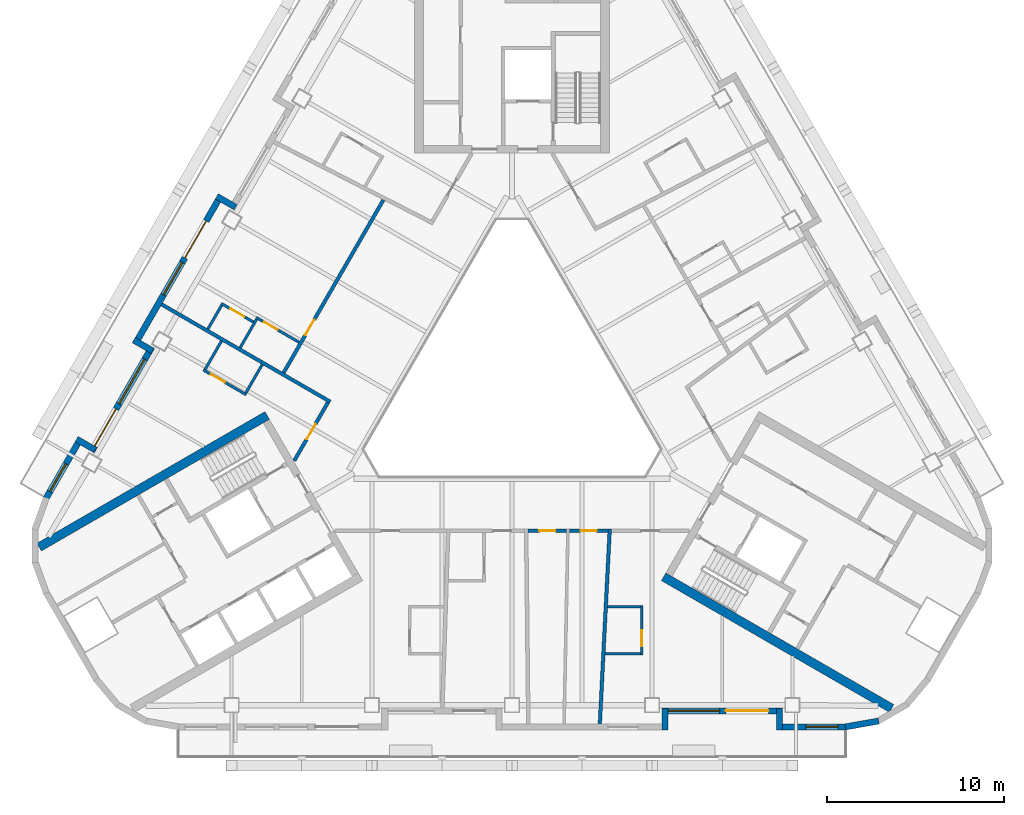
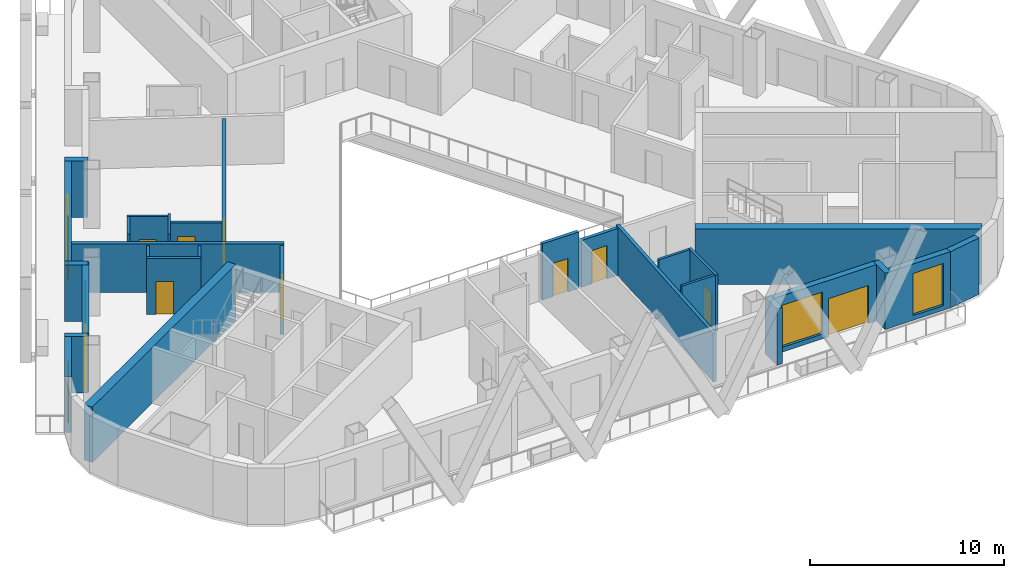
# One storey, part 4 of 14: 29 walls, 11 doors, 5 windows, 16 openings.
"""IFC4 building model written with IfcOpenShell, lengths in metres."""

from ifc_helpers import new_model, si_unit, direction, frame, frame_2d, origin, place, context, subcontext, project, spatial, rectangle, extrude, material, layer, layer_set, type_object, element, fill, save


model = new_model("IFC4")

# Units and contexts
model_context = context("Model", 3, precision=1e-05, world=origin(), true_north=direction((0.0, 1.0)))
body_context = subcontext(model_context, "Body", "Model", "MODEL_VIEW")
ifc_project = project(units=[si_unit("LENGTHUNIT", "METRE"), si_unit("AREAUNIT", "SQUARE_METRE"), si_unit("VOLUMEUNIT", "CUBIC_METRE"), si_unit("PLANEANGLEUNIT", "RADIAN"), si_unit("MASSUNIT", "GRAM", prefix="KILO")], contexts=[model_context])

# Site, building, storey
site_placement = place(None, origin())
site = spatial("IfcSite", under=ifc_project, at=site_placement, CompositionType="ELEMENT")
building_placement = place(site_placement, origin())
building = spatial("IfcBuilding", under=site, at=building_placement, Name="Apuvela Tower Hotel", CompositionType="ELEMENT")
storey_placement = place(building_placement, frame((0.0, 0.0, 168.800048828125)))
storey = spatial("IfcBuildingStorey", under=building, at=storey_placement, Name="L40", CompositionType="ELEMENT", Elevation=168.800048828125)

# Walls
ifc_material_1 = material(Name="Concrete C50/60", Category="concrete")
ifc_layer_1 = layer(ifc_material_1, 0.5)
ifc_layer_set_1 = layer_set([ifc_layer_1], Name="COR-WALL-CORE-500")
wall_type_1 = type_object("IfcWallType", Name="COR-WALL-CORE-500", PredefinedType="SHEAR", material=ifc_layer_set_1)
for number, where, z_axis, x_axis, name in (
    (1, (-13.796630859375, -1.9033203125, 0.0), (0.0, 0.0, 1.0), (-0.866025009528, -0.500000682871, 0.0), "Core wall SW"),
    (2, (8.546630859375, -10.99658203125, 0.0), (0.0, 0.0, 1.0), (0.866025009528, -0.500000682871, 0.0), "Core wall SE"),
):
    element("IfcWall", number, at=place(storey_placement, frame(where, z_axis=z_axis, x_axis=x_axis)), inside=storey, type_object=wall_type_1, Name=name, PredefinedType="SHEAR", context=body_context, shape_type="SweptSolid", body=[
        extrude(rectangle(XDim=14.8369140625, YDim=0.5, at=frame_2d((7.41845703125, 0.0))), origin(), (0.0, 0.0, 1.0), 3.5),
    ])
ifc_material_2 = material(Name="Concrete C40/50, dark pigmented precast panel", Category="concrete")
ifc_layer_2 = layer(ifc_material_2, 0.35009765625)
ifc_layer_set_2 = layer_set([ifc_layer_2], Name="ENV-WALL-350")
wall_type_2 = type_object("IfcWallType", Name="ENV-WALL-350", PredefinedType="SOLIDWALL", material=ifc_layer_set_2)
wall_1_placement = place(storey_placement, frame((-15.580810546875, 9.8330078125, 0.0), z_axis=(0.0, 0.0, 1.0), x_axis=(-0.866055662726, 0.499947586314, 0.0)))
element("IfcWall", 3, at=wall_1_placement, inside=storey, type_object=wall_type_2, Name="External wall L40-04", PredefinedType="SOLIDWALL", context=body_context, shape_type="SweptSolid", body=[
    extrude(rectangle(XDim=1.220458984375, YDim=0.35009765625, at=frame_2d((0.6103515625, 0.0))), origin(), (0.0, 0.0, 1.0), 3.550048828125),
])

# Wall, openings, door, window
wall_2_placement = place(storey_placement, frame((-16.3984375, 10.507080078125, 0.0), z_axis=(0.0, 0.0, 1.0), x_axis=(-0.499999142773, -0.866025898704, 0.0)))
wall_2 = element("IfcWall", 4, at=wall_2_placement, inside=storey, type_object=wall_type_2, Name="External wall L40-05", PredefinedType="SOLIDWALL", context=body_context, shape_type="SweptSolid", body=[
    extrude(rectangle(XDim=9.7001953125, YDim=0.35009765625, at=frame_2d((4.85009765625, 0.0))), origin(), (0.0, 0.0, 1.0), 3.550048828125),
])
opening_1_placement = place(wall_2_placement, frame((1.67529296875, 0.0, 0.0)))
opening_1 = element("IfcOpeningElement", 5, at=opening_1_placement, cuts=wall_2, Name="Opening BD24", PredefinedType="OPENING", context=body_context, shape_type="SweptSolid", body=[
    extrude(rectangle(XDim=2.39990234375, YDim=2.39990234375, at=frame_2d((1.199951171875, 1.199951171875))), frame((0.0, 0.18505859375, 0.0), z_axis=(0.0, -1.0, 0.0), x_axis=(1.0, 0.0, 0.0)), (0.0, 0.0, 1.0), 0.3701171875),
])
opening_2_placement = place(wall_2_placement, frame((4.37548828125, 0.0, 0.300048828125)))
opening_2 = element("IfcOpeningElement", 6, at=opening_2_placement, cuts=wall_2, Name="Opening WN21", PredefinedType="OPENING", context=body_context, shape_type="SweptSolid", body=[
    extrude(rectangle(XDim=2.10009765625, YDim=2.64990234375, at=frame_2d((1.050048828125, 1.324951171875))), frame((0.0, 0.18505859375, 0.0), z_axis=(0.0, -1.0, 0.0), x_axis=(1.0, 0.0, 0.0)), (0.0, 0.0, 1.0), 0.3701171875),
])
ifc_material_3 = material(Name="Aluminium 6063-T6, dark bronze anodised frame with dark tinted laminated glass", Category="aluminium")
door_type_1 = type_object("IfcDoorType", Name="ENV-DOOR-BALCONY-2400x2400", OperationType="SLIDING_TO_LEFT", PredefinedType="DOOR", material=ifc_material_3)
door_1_placement = place(opening_1_placement, frame((2.39990234375, 0.0, 0.0), z_axis=(0.0, 0.0, 1.0), x_axis=(-1.0, 0.0, 0.0)))
door_1 = element("IfcDoor", 7, at=door_1_placement, inside=storey, type_object=door_type_1, Name="Balcony door BD24", OperationType="SLIDING_TO_LEFT", OverallHeight=2.39990234375, OverallWidth=2.39990234375, PredefinedType="DOOR", context=body_context, shape_type="SweptSolid", body=[
    extrude(rectangle(XDim=2.39990234375, YDim=2.39990234375, at=frame_2d((1.199951171875, 1.199951171875))), frame((0.0, 0.02490234375, 0.0), z_axis=(0.0, -1.0, 0.0), x_axis=(1.0, 0.0, 0.0)), (0.0, 0.0, 1.0), 0.050048828125),
])
fill(opening_1, door_1)
ifc_material_4 = material(Name="Glass, dark tinted laminated insulated glazing unit", Category="glass")
window_type_1 = type_object("IfcWindowType", Name="ENV-WIN-2100x2650", PartitioningType="SINGLE_PANEL", PredefinedType="WINDOW", material=ifc_material_4)
window_1_placement = place(opening_2_placement, origin())
window_1 = element("IfcWindow", 8, at=window_1_placement, inside=storey, type_object=window_type_1, Name="Window WN21", OverallHeight=2.64990234375, OverallWidth=2.10009765625, PartitioningType="SINGLE_PANEL", PredefinedType="WINDOW", context=body_context, shape_type="SweptSolid", body=[
    extrude(rectangle(XDim=2.10009765625, YDim=2.64990234375, at=frame_2d((1.050048828125, 1.324951171875))), frame((0.0, 0.030029296875, 0.0), z_axis=(0.0, -1.0, 0.0), x_axis=(1.0, 0.0, 0.0)), (0.0, 0.0, 1.0), 0.06005859375),
])
fill(opening_2, window_1)

# Wall
wall_3_placement = place(storey_placement, frame((-21.3125, 2.345703125, 0.0), z_axis=(0.0, 0.0, 1.0), x_axis=(0.866005645448, -0.500034220881, 0.0)))
element("IfcWall", 9, at=wall_3_placement, inside=storey, type_object=wall_type_2, Name="External wall L40-06", PredefinedType="SOLIDWALL", context=body_context, shape_type="SweptSolid", body=[
    extrude(rectangle(XDim=1.22021484375, YDim=0.35009765625, at=frame_2d((0.610107421875, 0.0))), origin(), (0.0, 0.0, 1.0), 3.550048828125),
])

# Wall, openings, door, window
wall_4_placement = place(storey_placement, frame((-20.30908203125, 1.93359375, 0.0), z_axis=(0.0, 0.0, 1.0), x_axis=(-0.499992114976, -0.866029956157, 0.0)))
wall_4 = element("IfcWall", 10, at=wall_4_placement, inside=storey, type_object=wall_type_2, Name="External wall L40-07", PredefinedType="SOLIDWALL", context=body_context, shape_type="SweptSolid", body=[
    extrude(rectangle(XDim=6.73974609375, YDim=0.35009765625, at=frame_2d((3.369873046875, 0.0))), origin(), (0.0, 0.0, 1.0), 3.550048828125),
])
opening_3_placement = place(wall_4_placement, frame((4.02001953125, 0.0, 0.0)))
opening_3 = element("IfcOpeningElement", 11, at=opening_3_placement, cuts=wall_4, Name="Opening BD24", PredefinedType="OPENING", context=body_context, shape_type="SweptSolid", body=[
    extrude(rectangle(XDim=2.39990234375, YDim=2.39990234375, at=frame_2d((1.199951171875, 1.199951171875))), frame((0.0, 0.18505859375, 0.0), z_axis=(0.0, -1.0, 0.0), x_axis=(1.0, 0.0, 0.0)), (0.0, 0.0, 1.0), 0.3701171875),
])
opening_4_placement = place(wall_4_placement, frame((0.77001953125, 0.0, 0.300048828125)))
opening_4 = element("IfcOpeningElement", 12, at=opening_4_placement, cuts=wall_4, Name="Opening WN29", PredefinedType="OPENING", context=body_context, shape_type="SweptSolid", body=[
    extrude(rectangle(XDim=2.89990234375, YDim=2.64990234375, at=frame_2d((1.449951171875, 1.324951171875))), frame((0.0, 0.18505859375, 0.0), z_axis=(0.0, -1.0, 0.0), x_axis=(1.0, 0.0, 0.0)), (0.0, 0.0, 1.0), 0.3701171875),
])
door_2_placement = place(opening_3_placement, frame((2.39990234375, 0.0, 0.0), z_axis=(0.0, 0.0, 1.0), x_axis=(-1.0, 0.0, 0.0)))
door_2 = element("IfcDoor", 13, at=door_2_placement, inside=storey, type_object=door_type_1, Name="Balcony door BD24", OperationType="SLIDING_TO_LEFT", OverallHeight=2.39990234375, OverallWidth=2.39990234375, PredefinedType="DOOR", context=body_context, shape_type="SweptSolid", body=[
    extrude(rectangle(XDim=2.39990234375, YDim=2.39990234375, at=frame_2d((1.199951171875, 1.199951171875))), frame((0.0, 0.02490234375, 0.0), z_axis=(0.0, -1.0, 0.0), x_axis=(1.0, 0.0, 0.0)), (0.0, 0.0, 1.0), 0.050048828125),
])
fill(opening_3, door_2)
window_type_2 = type_object("IfcWindowType", Name="ENV-WIN-2900x2650", PartitioningType="SINGLE_PANEL", PredefinedType="WINDOW", material=ifc_material_4)
window_2_placement = place(opening_4_placement, origin())
window_2 = element("IfcWindow", 14, at=window_2_placement, inside=storey, type_object=window_type_2, Name="Window WN29", OverallHeight=2.64990234375, OverallWidth=2.89990234375, PartitioningType="SINGLE_PANEL", PredefinedType="WINDOW", context=body_context, shape_type="SweptSolid", body=[
    extrude(rectangle(XDim=2.89990234375, YDim=2.64990234375, at=frame_2d((1.449951171875, 1.324951171875))), frame((0.0, 0.030029296875, 0.0), z_axis=(0.0, -1.0, 0.0), x_axis=(1.0, 0.0, 0.0)), (0.0, 0.0, 1.0), 0.06005859375),
])
fill(opening_4, window_2)

# Wall
wall_5_placement = place(storey_placement, frame((-23.48095703125, -3.85009765625, 0.0), z_axis=(0.0, 0.0, 1.0), x_axis=(-0.866092288191, 0.499884134912, 0.0)))
element("IfcWall", 15, at=wall_5_placement, inside=storey, type_object=wall_type_2, Name="External wall L40-08", PredefinedType="SOLIDWALL", context=body_context, shape_type="SweptSolid", body=[
    extrude(rectangle(XDim=1.219970703125, YDim=0.35009765625, at=frame_2d((0.60986328125, 0.0))), origin(), (0.0, 0.0, 1.0), 3.550048828125),
])

# Wall, opening, window
wall_6_placement = place(storey_placement, frame((-24.298583984375, -3.17626953125, 0.0), z_axis=(0.0, 0.0, 1.0), x_axis=(-0.500028278809, -0.866009076391, 0.0)))
wall_6 = element("IfcWall", 16, at=wall_6_placement, inside=storey, type_object=wall_type_2, Name="External wall L40-09", PredefinedType="SOLIDWALL", context=body_context, shape_type="SweptSolid", body=[
    extrude(rectangle(XDim=3.915771484375, YDim=0.35009765625, at=frame_2d((1.9580078125, 0.0))), origin(), (0.0, 0.0, 1.0), 3.550048828125),
])
opening_5_placement = place(wall_6_placement, frame((1.675048828125, 0.0, 0.300048828125)))
opening_5 = element("IfcOpeningElement", 17, at=opening_5_placement, cuts=wall_6, Name="Opening WN18", PredefinedType="OPENING", context=body_context, shape_type="SweptSolid", body=[
    extrude(rectangle(XDim=1.800048828125, YDim=2.64990234375, at=frame_2d((0.89990234375, 1.324951171875))), frame((0.0, 0.18505859375, 0.0), z_axis=(0.0, -1.0, 0.0), x_axis=(1.0, 0.0, 0.0)), (0.0, 0.0, 1.0), 0.3701171875),
])
window_type_3 = type_object("IfcWindowType", Name="ENV-WIN-1800x2650", PartitioningType="SINGLE_PANEL", PredefinedType="WINDOW", material=ifc_material_4)
window_3_placement = place(opening_5_placement, origin())
window_3 = element("IfcWindow", 18, at=window_3_placement, inside=storey, type_object=window_type_3, Name="Window WN18", OverallHeight=2.64990234375, OverallWidth=1.800048828125, PartitioningType="SINGLE_PANEL", PredefinedType="WINDOW", context=body_context, shape_type="SweptSolid", body=[
    extrude(rectangle(XDim=1.800048828125, YDim=2.64990234375, at=frame_2d((0.89990234375, 1.324951171875))), frame((0.0, 0.030029296875, 0.0), z_axis=(0.0, -1.0, 0.0), x_axis=(1.0, 0.0, 0.0)), (0.0, 0.0, 1.0), 0.06005859375),
])
fill(opening_5, window_3)

# Wall
wall_7_placement = place(storey_placement, frame((8.625, -19.6298828125, 0.0), z_axis=(0.0, 0.0, 1.0), x_axis=(0.0, 1.0, 0.0)))
element("IfcWall", 19, at=wall_7_placement, inside=storey, type_object=wall_type_2, Name="External wall L40-22", PredefinedType="SOLIDWALL", context=body_context, shape_type="SweptSolid", body=[
    extrude(rectangle(XDim=1.219970703125, YDim=0.35009765625, at=frame_2d((0.60986328125, 0.0))), origin(), (0.0, 0.0, 1.0), 3.550048828125),
])

# Wall, openings, door, window
wall_8_placement = place(storey_placement, frame((8.47998046875, -18.554931640625, 0.0), z_axis=(0.0, 0.0, 1.0), x_axis=(1.0, 0.0, 0.0)))
wall_8 = element("IfcWall", 20, at=wall_8_placement, inside=storey, type_object=wall_type_2, Name="External wall L40-23", PredefinedType="SOLIDWALL", context=body_context, shape_type="SweptSolid", body=[
    extrude(rectangle(XDim=6.739990234375, YDim=0.35009765625, at=frame_2d((3.3701171875, 0.0))), origin(), (0.0, 0.0, 1.0), 3.550048828125),
])
opening_6_placement = place(wall_8_placement, frame((3.570068359375, 0.0, 0.0)))
opening_6 = element("IfcOpeningElement", 21, at=opening_6_placement, cuts=wall_8, Name="Opening BD24", PredefinedType="OPENING", context=body_context, shape_type="SweptSolid", body=[
    extrude(rectangle(XDim=2.39990234375, YDim=2.39990234375, at=frame_2d((1.199951171875, 1.199951171875))), frame((0.0, 0.18505859375, 0.0), z_axis=(0.0, -1.0, 0.0), x_axis=(1.0, 0.0, 0.0)), (0.0, 0.0, 1.0), 0.3701171875),
])
opening_7_placement = place(wall_8_placement, frame((0.3203125, 0.0, 0.300048828125)))
opening_7 = element("IfcOpeningElement", 22, at=opening_7_placement, cuts=wall_8, Name="Opening WN29", PredefinedType="OPENING", context=body_context, shape_type="SweptSolid", body=[
    extrude(rectangle(XDim=2.89990234375, YDim=2.64990234375, at=frame_2d((1.449951171875, 1.324951171875))), frame((0.0, 0.18505859375, 0.0), z_axis=(0.0, -1.0, 0.0), x_axis=(1.0, 0.0, 0.0)), (0.0, 0.0, 1.0), 0.3701171875),
])
door_3_placement = place(opening_6_placement, frame((2.39990234375, 0.0, 0.0), z_axis=(0.0, 0.0, 1.0), x_axis=(-1.0, 0.0, 0.0)))
door_3 = element("IfcDoor", 23, at=door_3_placement, inside=storey, type_object=door_type_1, Name="Balcony door BD24", OperationType="SLIDING_TO_LEFT", OverallHeight=2.39990234375, OverallWidth=2.39990234375, PredefinedType="DOOR", context=body_context, shape_type="SweptSolid", body=[
    extrude(rectangle(XDim=2.39990234375, YDim=2.39990234375, at=frame_2d((1.199951171875, 1.199951171875))), frame((0.0, 0.02490234375, 0.0), z_axis=(0.0, -1.0, 0.0), x_axis=(1.0, 0.0, 0.0)), (0.0, 0.0, 1.0), 0.050048828125),
])
fill(opening_6, door_3)
window_4_placement = place(opening_7_placement, origin())
window_4 = element("IfcWindow", 24, at=window_4_placement, inside=storey, type_object=window_type_2, Name="Window WN29", OverallHeight=2.64990234375, OverallWidth=2.89990234375, PartitioningType="SINGLE_PANEL", PredefinedType="WINDOW", context=body_context, shape_type="SweptSolid", body=[
    extrude(rectangle(XDim=2.89990234375, YDim=2.64990234375, at=frame_2d((1.449951171875, 1.324951171875))), frame((0.0, 0.030029296875, 0.0), z_axis=(0.0, -1.0, 0.0), x_axis=(1.0, 0.0, 0.0)), (0.0, 0.0, 1.0), 0.06005859375),
])
fill(opening_7, window_4)

# Wall
wall_9_placement = place(storey_placement, frame((15.074951171875, -18.409912109375, 0.0), z_axis=(0.0, 0.0, 1.0), x_axis=(0.0, -1.0, 0.0)))
element("IfcWall", 25, at=wall_9_placement, inside=storey, type_object=wall_type_2, Name="External wall L40-24", PredefinedType="SOLIDWALL", context=body_context, shape_type="SweptSolid", body=[
    extrude(rectangle(XDim=1.219970703125, YDim=0.35009765625, at=frame_2d((0.60986328125, 0.0))), origin(), (0.0, 0.0, 1.0), 3.550048828125),
])

# Wall, opening, window
wall_10_placement = place(storey_placement, frame((14.89990234375, -19.455078125, 0.0), z_axis=(0.0, 0.0, 1.0), x_axis=(1.0, 0.0, 0.0)))
wall_10 = element("IfcWall", 26, at=wall_10_placement, inside=storey, type_object=wall_type_2, Name="External wall L40-25", PredefinedType="SOLIDWALL", context=body_context, shape_type="SweptSolid", body=[
    extrude(rectangle(XDim=3.916015625, YDim=0.35009765625, at=frame_2d((1.9580078125, 0.0))), origin(), (0.0, 0.0, 1.0), 3.550048828125),
])
opening_8_placement = place(wall_10_placement, frame((1.674560546875, 0.0, 0.300048828125)))
opening_8 = element("IfcOpeningElement", 27, at=opening_8_placement, cuts=wall_10, Name="Opening WN18", PredefinedType="OPENING", context=body_context, shape_type="SweptSolid", body=[
    extrude(rectangle(XDim=1.800048828125, YDim=2.64990234375, at=frame_2d((0.89990234375, 1.324951171875))), frame((0.0, 0.18505859375, 0.0), z_axis=(0.0, -1.0, 0.0), x_axis=(1.0, 0.0, 0.0)), (0.0, 0.0, 1.0), 0.3701171875),
])
window_5_placement = place(opening_8_placement, origin())
window_5 = element("IfcWindow", 28, at=window_5_placement, inside=storey, type_object=window_type_3, Name="Window WN18", OverallHeight=2.64990234375, OverallWidth=1.800048828125, PartitioningType="SINGLE_PANEL", PredefinedType="WINDOW", context=body_context, shape_type="SweptSolid", body=[
    extrude(rectangle(XDim=1.800048828125, YDim=2.64990234375, at=frame_2d((0.89990234375, 1.324951171875))), frame((0.0, 0.030029296875, 0.0), z_axis=(0.0, -1.0, 0.0), x_axis=(1.0, 0.0, 0.0)), (0.0, 0.0, 1.0), 0.06005859375),
])
fill(opening_8, window_5)

# Walls
wall_11_placement = place(storey_placement, frame((18.785400390625, -19.457763671875, 0.0), z_axis=(0.0, 0.0, 1.0), x_axis=(0.984798995425, 0.173697837091, 0.0)))
element("IfcWall", 29, at=wall_11_placement, inside=storey, type_object=wall_type_2, Name="External wall L40-26", PredefinedType="SOLIDWALL", context=body_context, shape_type="SweptSolid", body=[
    extrude(rectangle(XDim=1.91015625, YDim=0.35009765625, at=frame_2d((0.955078125, 0.0))), origin(), (0.0, 0.0, 1.0), 3.550048828125),
])
ifc_material_5 = material(Name="Gypsum board partition on twin steel stud", Category="steel")
ifc_layer_3 = layer(ifc_material_5, 0.199951171875)
ifc_layer_set_3 = layer_set([ifc_layer_3], Name="GST-PW1")
wall_type_3 = type_object("IfcWallType", Name="GST-PW1", PredefinedType="PARTITIONING", material=ifc_layer_set_3)
wall_12_placement = place(storey_placement, frame((4.949951171875, -19.280029296875, 0.0), z_axis=(0.0, 0.0, 1.0), x_axis=(0.050963172582, 0.998700533213, 0.0)))
element("IfcWall", 30, at=wall_12_placement, inside=storey, type_object=wall_type_3, Name="L40 partition 03", PredefinedType="PARTITIONING", context=body_context, shape_type="SweptSolid", body=[
    extrude(rectangle(XDim=10.994384765625, YDim=0.199951171875, at=frame_2d((5.4970703125, 0.0))), origin(), (0.0, 0.0, 1.0), 3.06005859375),
])
wall_13_placement = place(storey_placement, frame((-19.7470703125, 4.357177734375, 0.0), z_axis=(0.0, 0.0, 1.0), x_axis=(0.866027479907, -0.499996404033, 0.0)))
element("IfcWall", 31, at=wall_13_placement, inside=storey, type_object=wall_type_3, Name="L40 partition 08", PredefinedType="PARTITIONING", context=body_context, shape_type="SweptSolid", body=[
    extrude(rectangle(XDim=10.97998046875, YDim=0.199951171875, at=frame_2d((5.489990234375, 0.0))), origin(), (0.0, 0.0, 1.0), 3.06005859375),
])

# Wall, opening, door
ifc_material_6 = material(Name="Gypsum board corridor wall on twin steel stud, acoustic", Category="steel")
ifc_layer_4 = layer(ifc_material_6, 0.199951171875)
ifc_layer_set_4 = layer_set([ifc_layer_4], Name="GST-PW2")
wall_type_4 = type_object("IfcWallType", Name="GST-PW2", PredefinedType="PARTITIONING", material=ifc_layer_set_4)
wall_14_placement = place(storey_placement, frame((3.076904296875, -8.39990234375, 0.0), z_axis=(0.0, 0.0, 1.0), x_axis=(-1.0, 0.0, 0.0)))
wall_14 = element("IfcWall", 32, at=wall_14_placement, inside=storey, type_object=wall_type_4, Name="L40 partition 17", PredefinedType="PARTITIONING", context=body_context, shape_type="SweptSolid", body=[
    extrude(rectangle(XDim=2.177978515625, YDim=0.199951171875, at=frame_2d((1.0888671875, 0.0))), origin(), (0.0, 0.0, 1.0), 3.550048828125),
])
opening_9_placement = place(wall_14_placement, frame((0.63916015625, 0.0, 0.0)))
opening_9 = element("IfcOpeningElement", 33, at=opening_9_placement, cuts=wall_14, Name="Opening GD15-05", PredefinedType="OPENING", context=body_context, shape_type="SweptSolid", body=[
    extrude(rectangle(XDim=0.89990234375, YDim=2.10009765625, at=frame_2d((0.449951171875, 1.050048828125))), frame((0.0, 0.10986328125, 0.0), z_axis=(0.0, -1.0, 0.0), x_axis=(1.0, 0.0, 0.0)), (0.0, 0.0, 1.0), 0.219970703125),
])
ifc_material_7 = material(Name="Timber door leaf in steel frame", Category="steel")
door_type_2 = type_object("IfcDoorType", Name="GST-D2", OperationType="NOTDEFINED", PredefinedType="DOOR", material=ifc_material_7)
door_4_placement = place(opening_9_placement, origin())
door_4 = element("IfcDoor", 34, at=door_4_placement, inside=storey, type_object=door_type_2, Name="Door L40-05", OperationType="SINGLE_SWING_LEFT", OverallHeight=2.10009765625, OverallWidth=0.89990234375, PredefinedType="DOOR", context=body_context, shape_type="SweptSolid", body=[
    extrude(rectangle(XDim=0.89990234375, YDim=2.10009765625, at=frame_2d((0.449951171875, 1.050048828125))), frame((0.0, 0.02490234375, 0.0), z_axis=(0.0, -1.0, 0.0), x_axis=(1.0, 0.0, 0.0)), (0.0, 0.0, 1.0), 0.050048828125),
])
fill(opening_9, door_4)

wall_15_placement = place(storey_placement, frame((5.405029296875, -8.39990234375, 0.0), z_axis=(0.0, 0.0, 1.0), x_axis=(-1.0, 0.0, 0.0)))
wall_15 = element("IfcWall", 35, at=wall_15_placement, inside=storey, type_object=wall_type_4, Name="L40 partition 18", PredefinedType="PARTITIONING", context=body_context, shape_type="SweptSolid", body=[
    extrude(rectangle(XDim=2.177978515625, YDim=0.199951171875, at=frame_2d((1.0888671875, 0.0))), origin(), (0.0, 0.0, 1.0), 2.949951171875),
])
opening_10_placement = place(wall_15_placement, frame((0.638916015625, 0.0, 0.0)))
opening_10 = element("IfcOpeningElement", 36, at=opening_10_placement, cuts=wall_15, Name="Opening GD15-06", PredefinedType="OPENING", context=body_context, shape_type="SweptSolid", body=[
    extrude(rectangle(XDim=0.89990234375, YDim=2.10009765625, at=frame_2d((0.449951171875, 1.050048828125))), frame((0.0, 0.10986328125, 0.0), z_axis=(0.0, -1.0, 0.0), x_axis=(1.0, 0.0, 0.0)), (0.0, 0.0, 1.0), 0.219970703125),
])
door_5_placement = place(opening_10_placement, origin())
door_5 = element("IfcDoor", 37, at=door_5_placement, inside=storey, type_object=door_type_2, Name="Door L40-06", OperationType="SINGLE_SWING_RIGHT", OverallHeight=2.10009765625, OverallWidth=0.89990234375, PredefinedType="DOOR", context=body_context, shape_type="SweptSolid", body=[
    extrude(rectangle(XDim=0.89990234375, YDim=2.10009765625, at=frame_2d((0.449951171875, 1.050048828125))), frame((0.0, 0.02490234375, 0.0), z_axis=(0.0, -1.0, 0.0), x_axis=(1.0, 0.0, 0.0)), (0.0, 0.0, 1.0), 0.050048828125),
])
fill(opening_10, door_5)

wall_16_placement = place(storey_placement, frame((-12.872802734375, 0.50390625, 0.0), z_axis=(0.0, 0.0, 1.0), x_axis=(0.500019832059, 0.866013953437, 0.0)))
wall_16 = element("IfcWall", 38, at=wall_16_placement, inside=storey, type_object=wall_type_4, Name="L40 partition 41", PredefinedType="PARTITIONING", context=body_context, shape_type="SweptSolid", body=[
    extrude(rectangle(XDim=11.251953125, YDim=0.199951171875, at=frame_2d((5.6259765625, 0.0))), origin(), (0.0, 0.0, 1.0), 2.949951171875),
])
opening_11_placement = place(wall_16_placement, frame((2.449951171875, 0.0, 0.0)))
opening_11 = element("IfcOpeningElement", 39, at=opening_11_placement, cuts=wall_16, Name="Opening GD15-21", PredefinedType="OPENING", context=body_context, shape_type="SweptSolid", body=[
    extrude(rectangle(XDim=1.0, YDim=2.10009765625, at=frame_2d((0.5, 1.050048828125))), frame((0.0, 0.10986328125, 0.0), z_axis=(0.0, -1.0, 0.0), x_axis=(1.0, 0.0, 0.0)), (0.0, 0.0, 1.0), 0.219970703125),
])
door_type_3 = type_object("IfcDoorType", Name="GST-D1", OperationType="NOTDEFINED", PredefinedType="DOOR", material=ifc_material_7)
door_6_placement = place(opening_11_placement, origin())
door_6 = element("IfcDoor", 40, at=door_6_placement, inside=storey, type_object=door_type_3, Name="Door L40-21", OperationType="SINGLE_SWING_RIGHT", OverallHeight=2.10009765625, OverallWidth=1.0, PredefinedType="DOOR", context=body_context, shape_type="SweptSolid", body=[
    extrude(rectangle(XDim=1.0, YDim=2.10009765625, at=frame_2d((0.5, 1.050048828125))), frame((0.0, 0.02490234375, 0.0), z_axis=(0.0, -1.0, 0.0), x_axis=(1.0, 0.0, 0.0)), (0.0, 0.0, 1.0), 0.050048828125),
])
fill(opening_11, door_6)

wall_17_placement = place(storey_placement, frame((-12.268798828125, -4.449951171875, 0.0), z_axis=(0.0, 0.0, 1.0), x_axis=(0.500055316652, 0.865993464345, 0.0)))
wall_17 = element("IfcWall", 41, at=wall_17_placement, inside=storey, type_object=wall_type_4, Name="L40 partition 46", PredefinedType="PARTITIONING", context=body_context, shape_type="SweptSolid", body=[
    extrude(rectangle(XDim=3.7880859375, YDim=0.199951171875, at=frame_2d((1.89404296875, 0.0))), origin(), (0.0, 0.0, 1.0), 2.949951171875),
])
opening_12_placement = place(wall_17_placement, frame((1.39404296875, 0.0, 0.0)))
opening_12 = element("IfcOpeningElement", 42, at=opening_12_placement, cuts=wall_17, Name="Opening GD15-23", PredefinedType="OPENING", context=body_context, shape_type="SweptSolid", body=[
    extrude(rectangle(XDim=1.0, YDim=2.10009765625, at=frame_2d((0.5, 1.050048828125))), frame((0.0, 0.10986328125, 0.0), z_axis=(0.0, -1.0, 0.0), x_axis=(1.0, 0.0, 0.0)), (0.0, 0.0, 1.0), 0.219970703125),
])
door_7_placement = place(opening_12_placement, origin())
door_7 = element("IfcDoor", 43, at=door_7_placement, inside=storey, type_object=door_type_3, Name="Door L40-23", OperationType="SINGLE_SWING_RIGHT", OverallHeight=2.10009765625, OverallWidth=1.0, PredefinedType="DOOR", context=body_context, shape_type="SweptSolid", body=[
    extrude(rectangle(XDim=1.0, YDim=2.10009765625, at=frame_2d((0.5, 1.050048828125))), frame((0.0, 0.02490234375, 0.0), z_axis=(0.0, -1.0, 0.0), x_axis=(1.0, 0.0, 0.0)), (0.0, 0.0, 1.0), 0.050048828125),
])
fill(opening_12, door_7)

ifc_material_8 = material(Name="Moisture-resistant gypsum board wet wall on steel stud", Category="steel")
ifc_layer_5 = layer(ifc_material_8, 0.14990234375)
ifc_layer_set_5 = layer_set([ifc_layer_5], Name="GST-PW3")
wall_type_5 = type_object("IfcWallType", Name="GST-PW3", PredefinedType="PARTITIONING", material=ifc_layer_set_5)
wall_18_placement = place(storey_placement, frame((7.31591796875, -15.39990234375, 0.0), z_axis=(0.0, 0.0, 1.0), x_axis=(0.0, 1.0, 0.0)))
wall_18 = element("IfcWall", 44, at=wall_18_placement, inside=storey, type_object=wall_type_5, Name="L40 partition 20", PredefinedType="PARTITIONING", context=body_context, shape_type="SweptSolid", body=[
    extrude(rectangle(XDim=2.7998046875, YDim=0.14990234375, at=frame_2d((1.39990234375, 0.0))), origin(), (0.0, 0.0, 1.0), 3.550048828125),
])
opening_13_placement = place(wall_18_placement, frame((0.5, 0.0, 0.0)))
opening_13 = element("IfcOpeningElement", 45, at=opening_13_placement, cuts=wall_18, Name="Opening GD15-07", PredefinedType="OPENING", context=body_context, shape_type="SweptSolid", body=[
    extrude(rectangle(XDim=0.89990234375, YDim=2.10009765625, at=frame_2d((0.449951171875, 1.050048828125))), frame((0.0, 0.0849609375, 0.0), z_axis=(0.0, -1.0, 0.0), x_axis=(1.0, 0.0, 0.0)), (0.0, 0.0, 1.0), 0.169921875),
])
door_8_placement = place(opening_13_placement, origin())
door_8 = element("IfcDoor", 46, at=door_8_placement, inside=storey, type_object=door_type_2, Name="Door L40-07", OperationType="SINGLE_SWING_LEFT", OverallHeight=2.10009765625, OverallWidth=0.89990234375, PredefinedType="DOOR", context=body_context, shape_type="SweptSolid", body=[
    extrude(rectangle(XDim=0.89990234375, YDim=2.10009765625, at=frame_2d((0.449951171875, 1.050048828125))), frame((0.0, 0.02490234375, 0.0), z_axis=(0.0, -1.0, 0.0), x_axis=(1.0, 0.0, 0.0)), (0.0, 0.0, 1.0), 0.050048828125),
])
fill(opening_13, door_8)

# Walls
wall_19_placement = place(storey_placement, frame((5.251953125, -15.324951171875, 0.0), z_axis=(0.0, 0.0, 1.0), x_axis=(1.0, 0.0, 0.0)))
element("IfcWall", 47, at=wall_19_placement, inside=storey, type_object=wall_type_5, Name="L40 partition 21", PredefinedType="PARTITIONING", context=body_context, shape_type="SweptSolid", body=[
    extrude(rectangle(XDim=1.989013671875, YDim=0.14990234375, at=frame_2d((0.99462890625, 0.0))), origin(), (0.0, 0.0, 1.0), 3.550048828125),
])
wall_20_placement = place(storey_placement, frame((5.38720703125, -12.675048828125, 0.0), z_axis=(0.0, 0.0, 1.0), x_axis=(1.0, 0.0, 0.0)))
element("IfcWall", 48, at=wall_20_placement, inside=storey, type_object=wall_type_5, Name="L40 partition 22", PredefinedType="PARTITIONING", context=body_context, shape_type="SweptSolid", body=[
    extrude(rectangle(XDim=1.853759765625, YDim=0.14990234375, at=frame_2d((0.9267578125, 0.0))), origin(), (0.0, 0.0, 1.0), 3.550048828125),
])

# Wall, opening, door
wall_21_placement = place(storey_placement, frame((-11.996826171875, 2.220947265625, 0.0), z_axis=(0.0, 0.0, 1.0), x_axis=(-0.866034573852, 0.49998411664, 0.0)))
wall_21 = element("IfcWall", 49, at=wall_21_placement, inside=storey, type_object=wall_type_5, Name="L40 partition 42", PredefinedType="PARTITIONING", context=body_context, shape_type="SweptSolid", body=[
    extrude(rectangle(XDim=2.7998046875, YDim=0.14990234375, at=frame_2d((1.39990234375, 0.0))), origin(), (0.0, 0.0, 1.0), 2.949951171875),
])
opening_14_placement = place(wall_21_placement, frame((1.39990234375, 0.0, 0.0)))
opening_14 = element("IfcOpeningElement", 50, at=opening_14_placement, cuts=wall_21, Name="Opening GD15-19", PredefinedType="OPENING", context=body_context, shape_type="SweptSolid", body=[
    extrude(rectangle(XDim=0.89990234375, YDim=2.10009765625, at=frame_2d((0.449951171875, 1.050048828125))), frame((0.0, 0.0849609375, 0.0), z_axis=(0.0, -1.0, 0.0), x_axis=(1.0, 0.0, 0.0)), (0.0, 0.0, 1.0), 0.169921875),
])
door_9_placement = place(opening_14_placement, origin())
door_9 = element("IfcDoor", 51, at=door_9_placement, inside=storey, type_object=door_type_2, Name="Door L40-19", OperationType="SINGLE_SWING_RIGHT", OverallHeight=2.10009765625, OverallWidth=0.89990234375, PredefinedType="DOOR", context=body_context, shape_type="SweptSolid", body=[
    extrude(rectangle(XDim=0.89990234375, YDim=2.10009765625, at=frame_2d((0.449951171875, 1.050048828125))), frame((0.0, 0.02490234375, 0.0), z_axis=(0.0, -1.0, 0.0), x_axis=(1.0, 0.0, 0.0)), (0.0, 0.0, 1.0), 0.050048828125),
])
fill(opening_14, door_9)

# Wall
wall_22_placement = place(storey_placement, frame((-14.394287109375, 3.5185546875, 0.0), z_axis=(0.0, 0.0, 1.0), x_axis=(-0.499886193382, -0.866091100096, 0.0)))
element("IfcWall", 52, at=wall_22_placement, inside=storey, type_object=wall_type_5, Name="L40 partition 43", PredefinedType="PARTITIONING", context=body_context, shape_type="SweptSolid", body=[
    extrude(rectangle(XDim=1.85009765625, YDim=0.14990234375, at=frame_2d((0.925048828125, 0.0))), origin(), (0.0, 0.0, 1.0), 3.550048828125),
])

# Wall, opening, door
wall_23_placement = place(storey_placement, frame((-14.57177734375, 3.361083984375, 0.0), z_axis=(0.0, 0.0, 1.0), x_axis=(-0.866009402589, 0.500027713859, 0.0)))
wall_23 = element("IfcWall", 53, at=wall_23_placement, inside=storey, type_object=wall_type_5, Name="L40 partition 44", PredefinedType="PARTITIONING", context=body_context, shape_type="SweptSolid", body=[
    extrude(rectangle(XDim=2.10009765625, YDim=0.14990234375, at=frame_2d((1.050048828125, 0.0))), origin(), (0.0, 0.0, 1.0), 3.550048828125),
])
opening_15_placement = place(wall_23_placement, frame((0.60009765625, 0.0, 0.0)))
opening_15 = element("IfcOpeningElement", 54, at=opening_15_placement, cuts=wall_23, Name="Opening GD15-20", PredefinedType="OPENING", context=body_context, shape_type="SweptSolid", body=[
    extrude(rectangle(XDim=0.89990234375, YDim=2.10009765625, at=frame_2d((0.449951171875, 1.050048828125))), frame((0.0, 0.0849609375, 0.0), z_axis=(0.0, -1.0, 0.0), x_axis=(1.0, 0.0, 0.0)), (0.0, 0.0, 1.0), 0.169921875),
])
door_10_placement = place(opening_15_placement, origin())
door_10 = element("IfcDoor", 55, at=door_10_placement, inside=storey, type_object=door_type_2, Name="Door L40-20", OperationType="SINGLE_SWING_RIGHT", OverallHeight=2.10009765625, OverallWidth=0.89990234375, PredefinedType="DOOR", context=body_context, shape_type="SweptSolid", body=[
    extrude(rectangle(XDim=0.89990234375, YDim=2.10009765625, at=frame_2d((0.449951171875, 1.050048828125))), frame((0.0, 0.02490234375, 0.0), z_axis=(0.0, -1.0, 0.0), x_axis=(1.0, 0.0, 0.0)), (0.0, 0.0, 1.0), 0.050048828125),
])
fill(opening_15, door_10)

# Wall
wall_24_placement = place(storey_placement, frame((-16.36279296875, 4.30859375, 0.0), z_axis=(0.0, 0.0, 1.0), x_axis=(-0.500086022567, -0.865975732936, 0.0)))
element("IfcWall", 56, at=wall_24_placement, inside=storey, type_object=wall_type_5, Name="L40 partition 45", PredefinedType="PARTITIONING", context=body_context, shape_type="SweptSolid", body=[
    extrude(rectangle(XDim=1.550048828125, YDim=0.14990234375, at=frame_2d((0.77490234375, 0.0))), origin(), (0.0, 0.0, 1.0), 3.550048828125),
])

# Wall, opening, door
wall_25_placement = place(storey_placement, frame((-17.3994140625, 0.66357421875, 0.0), z_axis=(0.0, 0.0, 1.0), x_axis=(0.866018616679, -0.500011755427, 0.0)))
wall_25 = element("IfcWall", 57, at=wall_25_placement, inside=storey, type_object=wall_type_5, Name="L40 partition 47", PredefinedType="PARTITIONING", context=body_context, shape_type="SweptSolid", body=[
    extrude(rectangle(XDim=2.80029296875, YDim=0.14990234375, at=frame_2d((1.400146484375, 0.0))), origin(), (0.0, 0.0, 1.0), 3.550048828125),
])
opening_16_placement = place(wall_25_placement, frame((0.5, 0.0, 0.0)))
opening_16 = element("IfcOpeningElement", 58, at=opening_16_placement, cuts=wall_25, Name="Opening GD15-22", PredefinedType="OPENING", context=body_context, shape_type="SweptSolid", body=[
    extrude(rectangle(XDim=0.89990234375, YDim=2.10009765625, at=frame_2d((0.449951171875, 1.050048828125))), frame((0.0, 0.0849609375, 0.0), z_axis=(0.0, -1.0, 0.0), x_axis=(1.0, 0.0, 0.0)), (0.0, 0.0, 1.0), 0.169921875),
])
door_11_placement = place(opening_16_placement, origin())
door_11 = element("IfcDoor", 59, at=door_11_placement, inside=storey, type_object=door_type_2, Name="Door L40-22", OperationType="SINGLE_SWING_LEFT", OverallHeight=2.10009765625, OverallWidth=0.89990234375, PredefinedType="DOOR", context=body_context, shape_type="SweptSolid", body=[
    extrude(rectangle(XDim=0.89990234375, YDim=2.10009765625, at=frame_2d((0.449951171875, 1.050048828125))), frame((0.0, 0.02490234375, 0.0), z_axis=(0.0, -1.0, 0.0), x_axis=(1.0, 0.0, 0.0)), (0.0, 0.0, 1.0), 0.050048828125),
])
fill(opening_16, door_11)

# Walls
wall_26_placement = place(storey_placement, frame((-16.371826171875, 2.293212890625, 0.0), z_axis=(0.0, 0.0, 1.0), x_axis=(-0.499985172903, -0.866033964044, 0.0)))
element("IfcWall", 60, at=wall_26_placement, inside=storey, type_object=wall_type_5, Name="L40 partition 48", PredefinedType="PARTITIONING", context=body_context, shape_type="SweptSolid", body=[
    extrude(rectangle(XDim=1.85009765625, YDim=0.14990234375, at=frame_2d((0.925048828125, 0.0))), origin(), (0.0, 0.0, 1.0), 2.949951171875),
])
wall_27_placement = place(storey_placement, frame((-14.076904296875, 0.968017578125, 0.0), z_axis=(0.0, 0.0, 1.0), x_axis=(-0.500042316284, -0.866000971088, 0.0)))
element("IfcWall", 61, at=wall_27_placement, inside=storey, type_object=wall_type_5, Name="L40 partition 49", PredefinedType="PARTITIONING", context=body_context, shape_type="SweptSolid", body=[
    extrude(rectangle(XDim=1.849853515625, YDim=0.14990234375, at=frame_2d((0.9248046875, 0.0))), origin(), (0.0, 0.0, 1.0), 2.949951171875),
])

save(model, "model.ifc")
